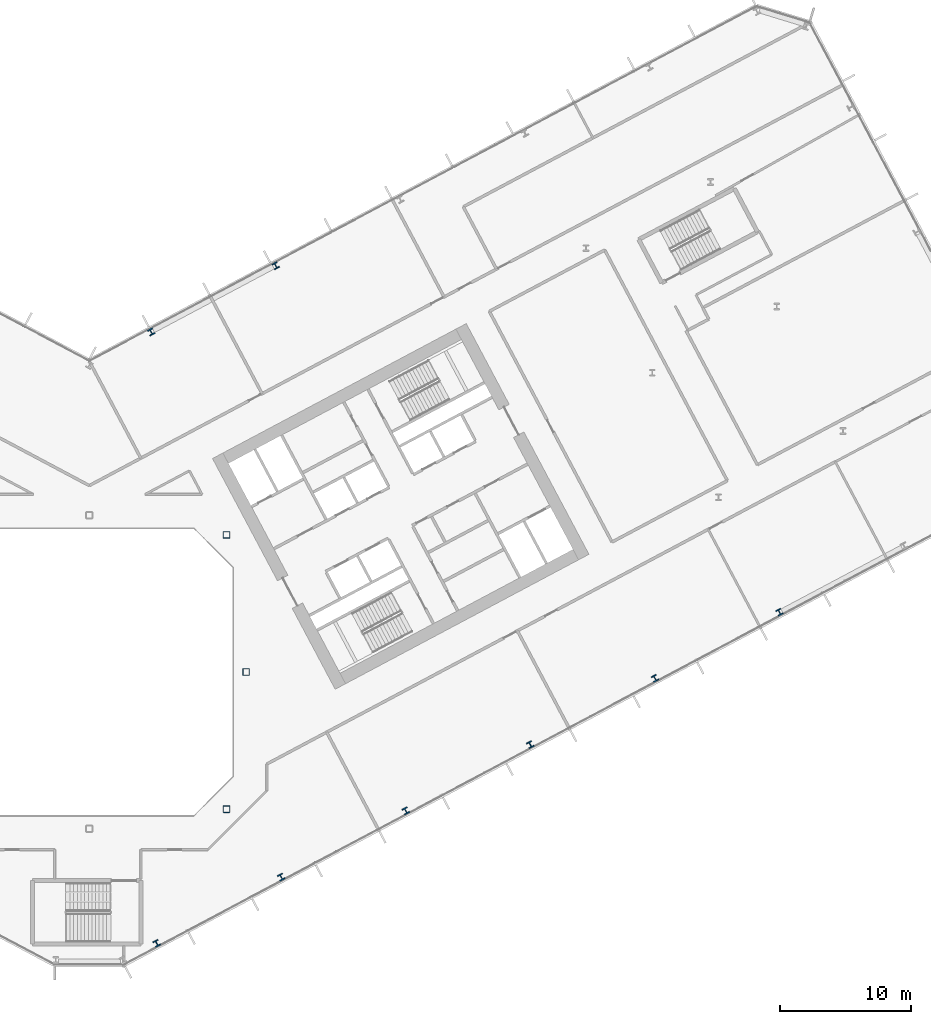
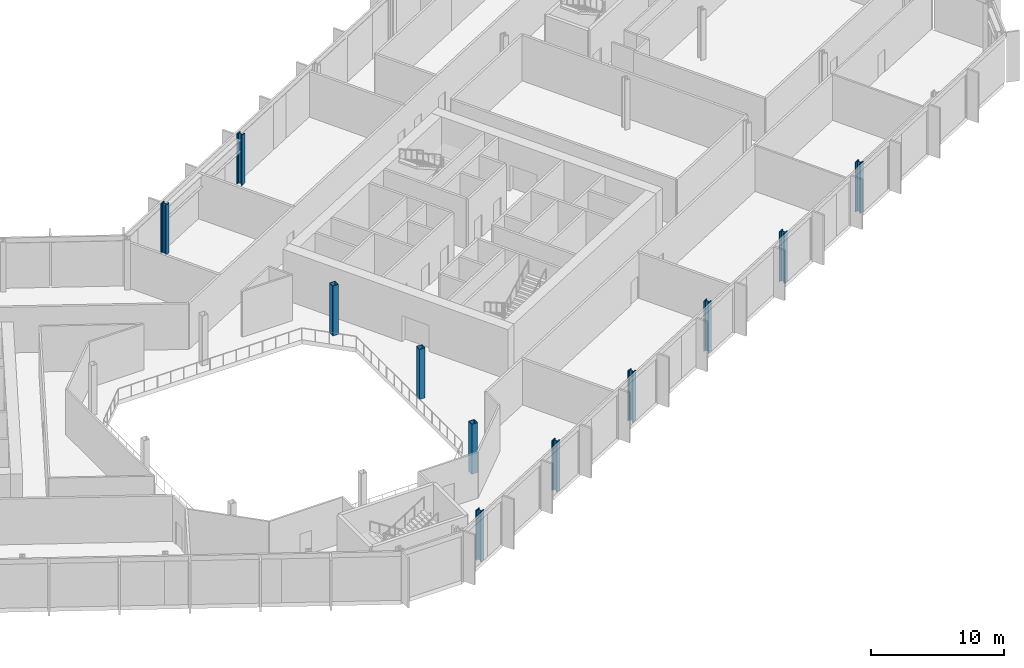
# One storey, part 3 of 31: 11 columns.
"""IFC4 building model written with IfcOpenShell, lengths in metres."""

from ifc_helpers import new_model, si_unit, direction, frame, origin, origin_2d, place, context, subcontext, project, spatial, hollow_rectangle, i_section, extrude, material, material_profile, profile_set, type_object, element, save


model = new_model("IFC4")

# Units and contexts
model_context = context("Model", 3, precision=1e-05, world=origin(), true_north=direction((0.0, 1.0)))
body_context = subcontext(model_context, "Body", "Model", "MODEL_VIEW")
ifc_project = project(units=[si_unit("LENGTHUNIT", "METRE"), si_unit("AREAUNIT", "SQUARE_METRE"), si_unit("VOLUMEUNIT", "CUBIC_METRE"), si_unit("PLANEANGLEUNIT", "RADIAN"), si_unit("MASSUNIT", "GRAM", prefix="KILO")], contexts=[model_context])

# Site, building, storey
site_placement = place(None, origin())
site = spatial("IfcSite", under=ifc_project, at=site_placement, CompositionType="ELEMENT")
building_placement = place(site_placement, origin())
building = spatial("IfcBuilding", under=site, at=building_placement, Name="Cormorant Relay Tower", CompositionType="ELEMENT")
storey_placement = place(building_placement, frame((0.0, 0.0, 93.800048828125)))
storey = spatial("IfcBuildingStorey", under=building, at=storey_placement, Name="L18", CompositionType="ELEMENT", Elevation=93.800048828125)

# Columns
ifc_material_1 = material(Name="Steel ASTM A500 Grade C (Fy 345 MPa)", Category="steel")
ifc_material_profile_1 = material_profile(ifc_material_1, hollow_rectangle(XDim=0.508056640625, YDim=0.508056640625, WallThickness=0.020751953125, InnerFilletRadius=0.01025390625, OuterFilletRadius=0.031005859375, at=origin_2d()), Name="HSS508x508x21")
ifc_profile_set_1 = profile_set([ifc_material_profile_1], Name="Steel ASTM A500 Grade C (Fy 345 MPa)")
column_type_1 = type_object("IfcColumnType", Name="Column HSS508x508x21", PredefinedType="COLUMN", material=ifc_profile_set_1)
for number, where, z_axis, x_axis, name in (
    (1, (10.5, -10.5, 0.0), (0.0, 0.0, 1.0), (1.0, 0.0, 0.0), "Column L18-010"),
    (2, (12.0, 0.0, 0.0), (0.0, 0.0, 1.0), (1.0, 0.0, 0.0), "Column L18-016"),
    (3, (10.5, 10.5, 0.0), (0.0, 0.0, 1.0), (1.0, 0.0, 0.0), "Column L18-023"),
):
    element("IfcColumn", number, at=place(storey_placement, frame(where, z_axis=z_axis, x_axis=x_axis)), inside=storey, type_object=column_type_1, Name=name, PredefinedType="COLUMN", context=body_context, shape_type="SweptSolid", body=[
        extrude(hollow_rectangle(XDim=0.508056640625, YDim=0.508056640625, WallThickness=0.020751953125, InnerFilletRadius=0.01025390625, OuterFilletRadius=0.031005859375, at=origin_2d()), origin(), (0.0, 0.0, 1.0), 4.599853515625),
    ])
ifc_material_2 = material(Name="Steel ASTM A992 (Fy 345 MPa)", Category="steel")
ifc_material_profile_2 = material_profile(ifc_material_2, i_section(OverallWidth=0.42431640625, OverallDepth=0.47509765625, WebThickness=0.0478515625, FlangeThickness=0.0771484375, FilletRadius=0.014892578125, at=origin_2d()), Name="W360x634")
ifc_profile_set_2 = profile_set([ifc_material_profile_2], Name="Steel ASTM A992 (Fy 345 MPa)")
column_type_2 = type_object("IfcColumnType", Name="Column W360x634", PredefinedType="COLUMN", material=ifc_profile_set_2)
for number, where, z_axis, x_axis, name in (
    (4, (5.155029296875, -20.77099609375, 0.0), (0.0, 0.0, 1.0), (0.882947592859, 0.469471562786, 0.0), "Column L18-003"),
    (5, (14.69091796875, -15.700927734375, 0.0), (0.0, 0.0, 1.0), (0.882947592859, 0.469471562786, 0.0), "Column L18-005"),
    (6, (24.22705078125, -10.631103515625, 0.0), (0.0, 0.0, 1.0), (0.882947592859, 0.469471562786, 0.0), "Column L18-008"),
    (7, (33.761962890625, -5.56005859375, 0.0), (0.0, 0.0, 1.0), (0.882947592859, 0.469471562786, 0.0), "Column L18-012"),
    (8, (43.298095703125, -0.489990234375, 0.0), (0.0, 0.0, 1.0), (0.882947592859, 0.469471562786, 0.0), "Column L18-014"),
    (9, (52.833984375, 4.580078125, 0.0), (0.0, 0.0, 1.0), (0.882947592859, 0.469471562786, 0.0), "Column L18-019"),
    (10, (4.73388671875, 26.029052734375, 0.0), (0.0, 0.0, 1.0), (-0.882947592859, -0.469471562786, 0.0), "Column L18-035"),
    (11, (14.27001953125, 31.10009765625, 0.0), (0.0, 0.0, 1.0), (-0.882947592859, -0.469471562786, 0.0), "Column L18-039"),
):
    element("IfcColumn", number, at=place(storey_placement, frame(where, z_axis=z_axis, x_axis=x_axis)), inside=storey, type_object=column_type_2, Name=name, PredefinedType="COLUMN", context=body_context, shape_type="SweptSolid", body=[
        extrude(i_section(OverallWidth=0.42431640625, OverallDepth=0.47509765625, WebThickness=0.0478515625, FlangeThickness=0.0771484375, FilletRadius=0.014892578125, at=origin_2d()), origin(), (0.0, 0.0, 1.0), 4.599853515625),
    ])

save(model, "model.ifc")
